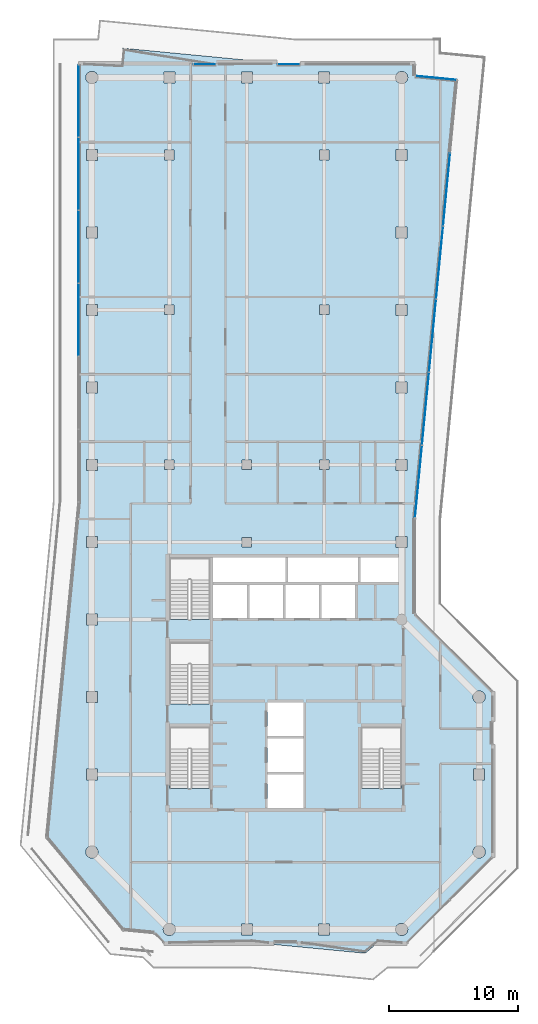
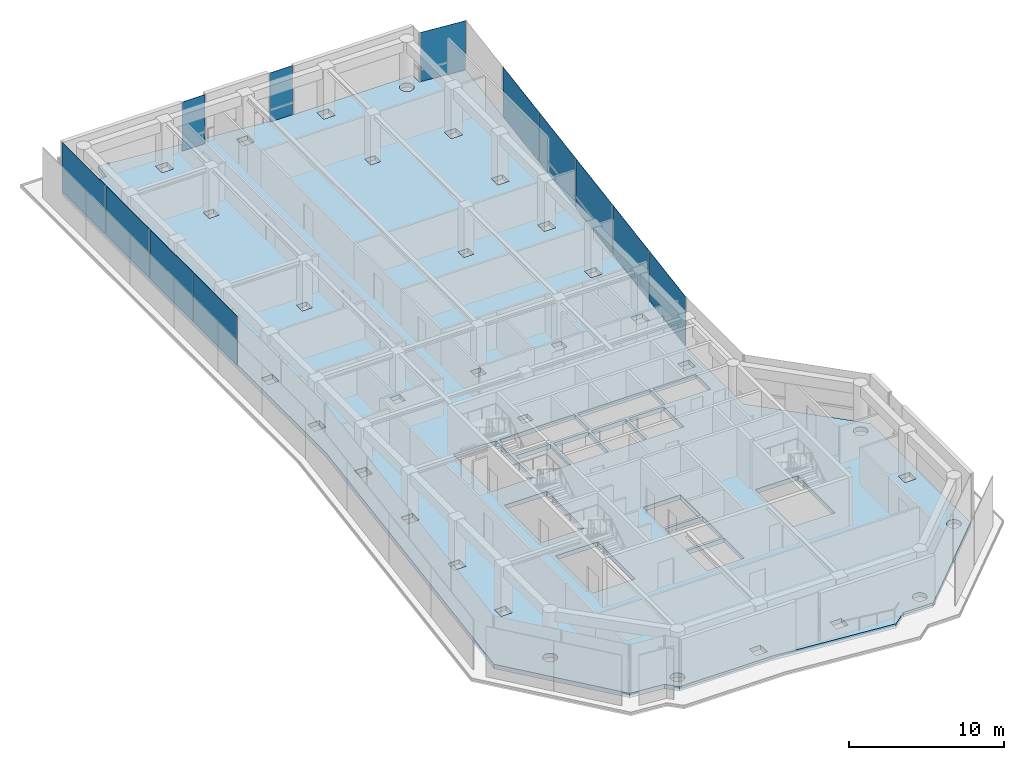
# One storey, part 19 of 25: 12 plates, 1 slab, 5 elements without a shape of their own.
"""IFC4 building model written with IfcOpenShell, lengths in metres."""

from ifc_helpers import new_model, si_unit, direction, frame, origin, origin_2d, place, context, subcontext, project, spatial, polyline, rectangle, outline, extrude, material, layer, layer_set, type_object, element, aggregate, save


model = new_model("IFC4")

# Units and contexts
model_context = context("Model", 3, precision=1e-05, world=origin(), true_north=direction((0.0, 1.0)))
body_context = subcontext(model_context, "Body", "Model", "MODEL_VIEW")
ifc_project = project(units=[si_unit("LENGTHUNIT", "METRE"), si_unit("AREAUNIT", "SQUARE_METRE"), si_unit("VOLUMEUNIT", "CUBIC_METRE"), si_unit("PLANEANGLEUNIT", "RADIAN"), si_unit("MASSUNIT", "GRAM", prefix="KILO")], contexts=[model_context])

# Site, building, storey
site_placement = place(None, origin())
site = spatial("IfcSite", under=ifc_project, at=site_placement, CompositionType="ELEMENT")
building_placement = place(site_placement, origin())
building = spatial("IfcBuilding", under=site, at=building_placement, Name="Welwitschia Terrace Campus", CompositionType="ELEMENT")
storey_placement = place(building_placement, frame((0.0, 0.0, 264.199951171875)))
storey = spatial("IfcBuildingStorey", under=building, at=storey_placement, Name="L58", CompositionType="ELEMENT", Elevation=264.199951171875)

# Curtain wall, plates
ifc_material_1 = material(Name="Bronze anodised aluminium", Category="aluminium")
ifc_layer_1 = layer(ifc_material_1, 0.1201171875)
ifc_layer_set_1 = layer_set([ifc_layer_1], Name="Bronze anodised aluminium")
curtain_wall_type = type_object("IfcCurtainWallType", Name="Curtain wall CW2 tower 6000", PredefinedType="NOTDEFINED", material=ifc_layer_set_1)
curtain_wall_1_placement = place(storey_placement, origin())
curtain_wall_1 = element("IfcCurtainWall", 1, at=curtain_wall_1_placement, inside=storey, type_object=curtain_wall_type, Name="CW L58.0.0", PredefinedType="NOTDEFINED")
ifc_material_2 = material(Name="Tinted bronze-grey glass", Category="glass")
ifc_layer_2 = layer(ifc_material_2, 0.028076171875)
ifc_layer_set_2 = layer_set([ifc_layer_2], Name="Tinted bronze-grey glass")
plate_type = type_object("IfcPlateType", Name="Glass panel 28 tinted", PredefinedType="CURTAIN_PANEL", material=ifc_layer_set_2)
plate_1_placement = place(storey_placement, frame((-1.030029296875, 60.188232421875, 0.0), z_axis=(0.0, 0.0, 1.0), x_axis=(0.0, -1.0, 0.0)))
plate_1 = element("IfcPlate", 2, at=plate_1_placement, type_object=plate_type, Name="Panel L58.0.0.0", PredefinedType="CURTAIN_PANEL", context=body_context, shape_type="SweptSolid", body=[
    extrude(rectangle(XDim=5.5634765625, YDim=0.028076171875, at=origin_2d()), origin(), (0.0, 0.0, 1.0), 3.85009765625),
])
plate_2_placement = place(storey_placement, frame((-1.030029296875, 54.5498046875, 0.0), z_axis=(0.0, 0.0, 1.0), x_axis=(0.0, -1.0, 0.0)))
plate_2 = element("IfcPlate", 3, at=plate_2_placement, type_object=plate_type, Name="Panel L58.0.0.1", PredefinedType="CURTAIN_PANEL", context=body_context, shape_type="SweptSolid", body=[
    extrude(rectangle(XDim=5.593505859375, YDim=0.028076171875, at=origin_2d()), origin(), (0.0, 0.0, 1.0), 3.85009765625),
])
plate_3_placement = place(storey_placement, frame((-1.030029296875, 48.896240234375, 0.0), z_axis=(0.0, 0.0, 1.0), x_axis=(0.0, -1.0, 0.0)))
plate_3 = element("IfcPlate", 4, at=plate_3_placement, type_object=plate_type, Name="Panel L58.0.0.2", PredefinedType="CURTAIN_PANEL", context=body_context, shape_type="SweptSolid", body=[
    extrude(rectangle(XDim=5.593505859375, YDim=0.028076171875, at=origin_2d()), origin(), (0.0, 0.0, 1.0), 3.85009765625),
])
plate_4_placement = place(storey_placement, frame((-1.030029296875, 43.24267578125, 0.0), z_axis=(0.0, 0.0, 1.0), x_axis=(0.0, -1.0, 0.0)))
plate_4 = element("IfcPlate", 5, at=plate_4_placement, type_object=plate_type, Name="Panel L58.0.0.3", PredefinedType="CURTAIN_PANEL", context=body_context, shape_type="SweptSolid", body=[
    extrude(rectangle(XDim=5.593505859375, YDim=0.028076171875, at=origin_2d()), origin(), (0.0, 0.0, 1.0), 3.85009765625),
])
aggregate(curtain_wall_1, [plate_1, plate_2, plate_3, plate_4])

curtain_wall_2_placement = place(storey_placement, origin())
curtain_wall_2 = element("IfcCurtainWall", 6, at=curtain_wall_2_placement, inside=storey, type_object=curtain_wall_type, Name="CW L58.10.0", PredefinedType="NOTDEFINED")
plate_5_placement = place(storey_placement, frame((25.303955078125, 30.701416015625, 0.0), z_axis=(0.0, 0.0, 1.0), x_axis=(0.09584575252, 0.995396198367, 0.0)))
plate_5 = element("IfcPlate", 7, at=plate_5_placement, type_object=plate_type, Name="Panel L58.10.0.0", PredefinedType="CURTAIN_PANEL", context=body_context, shape_type="SweptSolid", body=[
    extrude(rectangle(XDim=5.59521484375, YDim=0.028076171875, at=origin_2d()), origin(), (0.0, 0.0, 1.0), 3.85009765625),
])
plate_6_placement = place(storey_placement, frame((25.847412109375, 36.345458984375, 0.0), z_axis=(0.0, 0.0, 1.0), x_axis=(0.09584575252, 0.995396198367, 0.0)))
plate_6 = element("IfcPlate", 8, at=plate_6_placement, type_object=plate_type, Name="Panel L58.10.0.1", PredefinedType="CURTAIN_PANEL", context=body_context, shape_type="SweptSolid", body=[
    extrude(rectangle(XDim=5.625244140625, YDim=0.028076171875, at=origin_2d()), origin(), (0.0, 0.0, 1.0), 3.85009765625),
])
plate_7_placement = place(storey_placement, frame((26.392333984375, 42.00439453125, 0.0), z_axis=(0.0, 0.0, 1.0), x_axis=(0.09584575252, 0.995396198367, 0.0)))
plate_7 = element("IfcPlate", 9, at=plate_7_placement, type_object=plate_type, Name="Panel L58.10.0.2", PredefinedType="CURTAIN_PANEL", context=body_context, shape_type="SweptSolid", body=[
    extrude(rectangle(XDim=5.625244140625, YDim=0.028076171875, at=origin_2d()), origin(), (0.0, 0.0, 1.0), 3.85009765625),
])
plate_8_placement = place(storey_placement, frame((26.937255859375, 47.663330078125, 0.0), z_axis=(0.0, 0.0, 1.0), x_axis=(0.09584575252, 0.995396198367, 0.0)))
plate_8 = element("IfcPlate", 10, at=plate_8_placement, type_object=plate_type, Name="Panel L58.10.0.3", PredefinedType="CURTAIN_PANEL", context=body_context, shape_type="SweptSolid", body=[
    extrude(rectangle(XDim=5.625244140625, YDim=0.028076171875, at=origin_2d()), origin(), (0.0, 0.0, 1.0), 3.85009765625),
])
plate_9_placement = place(storey_placement, frame((27.48193359375, 53.322265625, 0.0), z_axis=(0.0, 0.0, 1.0), x_axis=(0.09584575252, 0.995396198367, 0.0)))
plate_9 = element("IfcPlate", 11, at=plate_9_placement, type_object=plate_type, Name="Panel L58.10.0.4", PredefinedType="CURTAIN_PANEL", context=body_context, shape_type="SweptSolid", body=[
    extrude(rectangle(XDim=5.625244140625, YDim=0.028076171875, at=origin_2d()), origin(), (0.0, 0.0, 1.0), 3.85009765625),
])
aggregate(curtain_wall_2, [plate_5, plate_6, plate_7, plate_8, plate_9])

# Curtain wall, plate
curtain_wall_3_placement = place(storey_placement, origin())
curtain_wall_3 = element("IfcCurtainWall", 12, at=curtain_wall_3_placement, inside=storey, type_object=curtain_wall_type, Name="CW L58.11.0", PredefinedType="NOTDEFINED")
plate_10_placement = place(storey_placement, frame((26.664794921875, 61.96826171875, 0.0), z_axis=(0.0, 0.0, 1.0), x_axis=(-0.995396198367, 0.09584575252, 0.0)))
plate_10 = element("IfcPlate", 13, at=plate_10_placement, type_object=plate_type, Name="Panel L58.11.0.0", PredefinedType="CURTAIN_PANEL", context=body_context, shape_type="SweptSolid", body=[
    extrude(rectangle(XDim=3.16455078125, YDim=0.028076171875, at=origin_2d()), origin(), (0.0, 0.0, 1.0), 3.85009765625),
])
aggregate(curtain_wall_3, [plate_10])

curtain_wall_4_placement = place(storey_placement, origin())
curtain_wall_4 = element("IfcCurtainWall", 14, at=curtain_wall_4_placement, inside=storey, type_object=curtain_wall_type, Name="CW L58.13.S0", PredefinedType="NOTDEFINED")
plate_11_placement = place(storey_placement, frame((15.257568359375, 63.030029296875, 0.0), z_axis=(0.0, 0.0, 1.0), x_axis=(-1.0, 0.0, 0.0)))
plate_11 = element("IfcPlate", 15, at=plate_11_placement, type_object=plate_type, Name="Panel L58.13.S0.0", PredefinedType="CURTAIN_PANEL", context=body_context, shape_type="SweptSolid", body=[
    extrude(rectangle(XDim=1.679931640625, YDim=0.028076171875, at=origin_2d()), origin(), (0.0, 0.0, 1.0), 3.85009765625),
])
aggregate(curtain_wall_4, [plate_11])

curtain_wall_5_placement = place(storey_placement, origin())
curtain_wall_5 = element("IfcCurtainWall", 16, at=curtain_wall_5_placement, inside=storey, type_object=curtain_wall_type, Name="CW L58.13.S1", PredefinedType="NOTDEFINED")
plate_12_placement = place(storey_placement, frame((8.742431640625, 63.030029296875, 0.0), z_axis=(0.0, 0.0, 1.0), x_axis=(-1.0, 0.0, 0.0)))
plate_12 = element("IfcPlate", 17, at=plate_12_placement, type_object=plate_type, Name="Panel L58.13.S1.0", PredefinedType="CURTAIN_PANEL", context=body_context, shape_type="SweptSolid", body=[
    extrude(rectangle(XDim=1.679931640625, YDim=0.028076171875, at=origin_2d()), origin(), (0.0, 0.0, 1.0), 3.85009765625),
])
aggregate(curtain_wall_5, [plate_12])

# Slab
ifc_material_3 = material(Name="Concrete C40/50", Category="concrete")
ifc_layer_3 = layer(ifc_material_3, 0.35009765625)
ifc_layer_set_3 = layer_set([ifc_layer_3], Name="Concrete C40/50")
slab_type = type_object("IfcSlabType", Name="Suspended floor slab 350", PredefinedType="FLOOR", material=ifc_layer_set_3)
slab_placement = place(storey_placement, frame((0.0, 0.0, -0.349853515625)))
element("IfcSlab", 18, at=slab_placement, inside=storey, type_object=slab_type, Name="Floor slab L58", PredefinedType="FLOOR", context=body_context, shape_type="SweptSolid", body=[
    extrude(outline(polyline([(2.263427734375, 63.0), (2.38623046875, 64.275634765625), (15.635498046875, 63.0), (25.0, 63.0), (25.0, 62.098388671875), (28.2666015625, 61.78369140625), (25.0, 27.8583984375), (25.0, 20.414306640625), (31.0, 14.414306640625), (31.0, 1.585693359375), (24.414306640625, -5.0), (22.193603515625, -5.0), (21.166015625, -5.846923828125), (12.369140625, -5.0), (5.585693359375, -5.0), (4.863037109375, -4.27734375), (2.42431640625, -4.04248046875), (-3.5, 3.144287109375), (-1.0, 29.107421875), (-1.0, 63.0), (2.263427734375, 63.0)]), holes=[polyline([(6.3359375, -4.3359375), (6.39501953125, -4.263916015625), (6.43896484375, -4.181884765625), (6.4658203125, -4.0927734375), (6.47509765625, -4.0), (6.4658203125, -3.9072265625), (6.43896484375, -3.818115234375), (6.39501953125, -3.736083984375), (6.3359375, -3.6640625), (6.263916015625, -3.60498046875), (6.181884765625, -3.56103515625), (6.0927734375, -3.5341796875), (6.0, -3.52490234375), (5.9072265625, -3.5341796875), (5.818115234375, -3.56103515625), (5.736083984375, -3.60498046875), (5.6640625, -3.6640625), (5.60498046875, -3.736083984375), (5.56103515625, -3.818115234375), (5.5341796875, -3.9072265625), (5.52490234375, -4.0), (5.5341796875, -4.0927734375), (5.56103515625, -4.181884765625), (5.60498046875, -4.263916015625), (5.6640625, -4.3359375), (5.736083984375, -4.39501953125), (5.818115234375, -4.43896484375), (5.9072265625, -4.4658203125), (6.0, -4.47509765625), (6.0927734375, -4.4658203125), (6.181884765625, -4.43896484375), (6.263916015625, -4.39501953125), (6.3359375, -4.3359375)]), polyline([(0.263916015625, 1.60498046875), (0.3359375, 1.6640625), (0.39501953125, 1.736083984375), (0.43896484375, 1.818115234375), (0.4658203125, 1.9072265625), (0.47509765625, 2.0), (0.4658203125, 2.0927734375), (0.43896484375, 2.181884765625), (0.39501953125, 2.263916015625), (0.3359375, 2.3359375), (0.263916015625, 2.39501953125), (0.181884765625, 2.43896484375), (0.0927734375, 2.4658203125), (0.0, 2.47509765625), (-0.0927734375, 2.4658203125), (-0.181884765625, 2.43896484375), (-0.263916015625, 2.39501953125), (-0.3359375, 2.3359375), (-0.39501953125, 2.263916015625), (-0.43896484375, 2.181884765625), (-0.4658203125, 2.0927734375), (-0.47509765625, 2.0), (-0.4658203125, 1.9072265625), (-0.43896484375, 1.818115234375), (-0.39501953125, 1.736083984375), (-0.3359375, 1.6640625), (-0.263916015625, 1.60498046875), (-0.181884765625, 1.56103515625), (-0.0927734375, 1.5341796875), (0.0, 1.52490234375), (0.0927734375, 1.5341796875), (0.181884765625, 1.56103515625), (0.263916015625, 1.60498046875)]), polyline([(-0.425048828125, 7.574951171875), (0.425048828125, 7.574951171875), (0.425048828125, 8.425048828125), (-0.425048828125, 8.425048828125), (-0.425048828125, 7.574951171875)]), polyline([(0.425048828125, 13.574951171875), (0.425048828125, 14.425048828125), (-0.425048828125, 14.425048828125), (-0.425048828125, 13.574951171875), (0.425048828125, 13.574951171875)]), polyline([(6.0, 13.451904296875), (9.14990234375, 13.451904296875), (9.14990234375, 18.25), (6.0, 18.25), (6.0, 13.451904296875)]), polyline([(-0.425048828125, 19.574951171875), (0.425048828125, 19.574951171875), (0.425048828125, 20.425048828125), (-0.425048828125, 20.425048828125), (-0.425048828125, 19.574951171875)]), polyline([(0.425048828125, 25.574951171875), (0.425048828125, 26.425048828125), (-0.425048828125, 26.425048828125), (-0.425048828125, 25.574951171875), (0.425048828125, 25.574951171875)]), polyline([(-0.425048828125, 31.574951171875), (0.425048828125, 31.574951171875), (0.425048828125, 32.425048828125), (-0.425048828125, 32.425048828125), (-0.425048828125, 31.574951171875)]), polyline([(5.625, 31.625), (6.375, 31.625), (6.375, 32.375), (5.625, 32.375), (5.625, 31.625)]), polyline([(0.425048828125, 37.574951171875), (0.425048828125, 38.425048828125), (-0.425048828125, 38.425048828125), (-0.425048828125, 37.574951171875), (0.425048828125, 37.574951171875)]), polyline([(-0.425048828125, 43.574951171875), (0.425048828125, 43.574951171875), (0.425048828125, 44.425048828125), (-0.425048828125, 44.425048828125), (-0.425048828125, 43.574951171875)]), polyline([(5.625, 43.625), (6.375, 43.625), (6.375, 44.375), (5.625, 44.375), (5.625, 43.625)]), polyline([(0.425048828125, 49.574951171875), (0.425048828125, 50.425048828125), (-0.425048828125, 50.425048828125), (-0.425048828125, 49.574951171875), (0.425048828125, 49.574951171875)]), polyline([(-0.425048828125, 55.574951171875), (0.425048828125, 55.574951171875), (0.425048828125, 56.425048828125), (-0.425048828125, 56.425048828125), (-0.425048828125, 55.574951171875)]), polyline([(5.625, 55.625), (6.375, 55.625), (6.375, 56.375), (5.625, 56.375), (5.625, 55.625)]), polyline([(0.3359375, 61.6640625), (0.39501953125, 61.736083984375), (0.43896484375, 61.818115234375), (0.4658203125, 61.9072265625), (0.47509765625, 62.0), (0.4658203125, 62.0927734375), (0.43896484375, 62.181884765625), (0.39501953125, 62.263916015625), (0.3359375, 62.3359375), (0.263916015625, 62.39501953125), (0.181884765625, 62.43896484375), (0.0927734375, 62.4658203125), (0.0, 62.47509765625), (-0.0927734375, 62.4658203125), (-0.181884765625, 62.43896484375), (-0.263916015625, 62.39501953125), (-0.3359375, 62.3359375), (-0.39501953125, 62.263916015625), (-0.43896484375, 62.181884765625), (-0.4658203125, 62.0927734375), (-0.47509765625, 62.0), (-0.4658203125, 61.9072265625), (-0.43896484375, 61.818115234375), (-0.39501953125, 61.736083984375), (-0.3359375, 61.6640625), (-0.263916015625, 61.60498046875), (-0.181884765625, 61.56103515625), (-0.0927734375, 61.5341796875), (0.0, 61.52490234375), (0.0927734375, 61.5341796875), (0.181884765625, 61.56103515625), (0.263916015625, 61.60498046875), (0.3359375, 61.6640625)]), polyline([(5.574951171875, 61.574951171875), (6.425048828125, 61.574951171875), (6.425048828125, 62.425048828125), (5.574951171875, 62.425048828125), (5.574951171875, 61.574951171875)]), polyline([(17.574951171875, -4.425048828125), (18.425048828125, -4.425048828125), (18.425048828125, -3.574951171875), (17.574951171875, -3.574951171875), (17.574951171875, -4.425048828125)]), polyline([(12.425048828125, -4.425048828125), (12.425048828125, -3.574951171875), (11.574951171875, -3.574951171875), (11.574951171875, -4.425048828125), (12.425048828125, -4.425048828125)]), polyline([(13.60009765625, 5.39990234375), (16.39990234375, 5.39990234375), (16.39990234375, 8.0), (13.60009765625, 8.0), (13.60009765625, 5.39990234375)]), polyline([(6.0, 6.902099609375), (9.14990234375, 6.902099609375), (9.14990234375, 11.699951171875), (6.0, 11.699951171875), (6.0, 6.902099609375)]), polyline([(13.60009765625, 8.199951171875), (16.39990234375, 8.199951171875), (16.39990234375, 10.800048828125), (13.60009765625, 10.800048828125), (13.60009765625, 8.199951171875)]), polyline([(13.60009765625, 11.0), (16.39990234375, 11.0), (16.39990234375, 13.60009765625), (13.60009765625, 13.60009765625), (13.60009765625, 11.0)]), polyline([(12.199951171875, 20.10009765625), (14.800048828125, 20.10009765625), (14.800048828125, 22.699951171875), (12.199951171875, 22.699951171875), (12.199951171875, 20.10009765625)]), polyline([(15.0, 20.10009765625), (17.60009765625, 20.10009765625), (17.60009765625, 22.699951171875), (15.0, 22.699951171875), (15.0, 20.10009765625)]), polyline([(12.0, 20.10009765625), (12.0, 22.699951171875), (9.39990234375, 22.699951171875), (9.39990234375, 20.10009765625), (12.0, 20.10009765625)]), polyline([(6.0, 20.001953125), (9.14990234375, 20.001953125), (9.14990234375, 24.800048828125), (6.0, 24.800048828125), (6.0, 20.001953125)]), polyline([(9.39990234375, 22.89990234375), (15.0, 22.89990234375), (15.0, 24.800048828125), (9.39990234375, 24.800048828125), (9.39990234375, 22.89990234375)]), polyline([(20.60009765625, 22.89990234375), (20.60009765625, 24.800048828125), (15.199951171875, 24.800048828125), (15.199951171875, 22.89990234375), (20.60009765625, 22.89990234375)]), polyline([(11.625, 25.625), (12.375, 25.625), (12.375, 26.375), (11.625, 26.375), (11.625, 25.625)]), polyline([(11.625, 31.625), (12.375, 31.625), (12.375, 32.375), (11.625, 32.375), (11.625, 31.625)]), polyline([(18.375, 31.625), (18.375, 32.375), (17.625, 32.375), (17.625, 31.625), (18.375, 31.625)]), polyline([(17.625, 43.625), (18.375, 43.625), (18.375, 44.375), (17.625, 44.375), (17.625, 43.625)]), polyline([(11.574951171875, 61.574951171875), (12.425048828125, 61.574951171875), (12.425048828125, 62.425048828125), (11.574951171875, 62.425048828125), (11.574951171875, 61.574951171875)]), polyline([(24.3359375, -4.3359375), (24.39501953125, -4.263916015625), (24.43896484375, -4.181884765625), (24.4658203125, -4.0927734375), (24.47509765625, -4.0), (24.4658203125, -3.9072265625), (24.43896484375, -3.818115234375), (24.39501953125, -3.736083984375), (24.3359375, -3.6640625), (24.263916015625, -3.60498046875), (24.181884765625, -3.56103515625), (24.0927734375, -3.5341796875), (24.0, -3.52490234375), (23.9072265625, -3.5341796875), (23.818115234375, -3.56103515625), (23.736083984375, -3.60498046875), (23.6640625, -3.6640625), (23.60498046875, -3.736083984375), (23.56103515625, -3.818115234375), (23.5341796875, -3.9072265625), (23.52490234375, -4.0), (23.5341796875, -4.0927734375), (23.56103515625, -4.181884765625), (23.60498046875, -4.263916015625), (23.6640625, -4.3359375), (23.736083984375, -4.39501953125), (23.818115234375, -4.43896484375), (23.9072265625, -4.4658203125), (24.0, -4.47509765625), (24.0927734375, -4.4658203125), (24.181884765625, -4.43896484375), (24.263916015625, -4.39501953125), (24.3359375, -4.3359375)]), polyline([(30.263916015625, 1.60498046875), (30.3359375, 1.6640625), (30.39501953125, 1.736083984375), (30.43896484375, 1.818115234375), (30.4658203125, 1.9072265625), (30.47509765625, 2.0), (30.4658203125, 2.0927734375), (30.43896484375, 2.181884765625), (30.39501953125, 2.263916015625), (30.3359375, 2.3359375), (30.263916015625, 2.39501953125), (30.181884765625, 2.43896484375), (30.0927734375, 2.4658203125), (30.0, 2.47509765625), (29.9072265625, 2.4658203125), (29.818115234375, 2.43896484375), (29.736083984375, 2.39501953125), (29.6640625, 2.3359375), (29.60498046875, 2.263916015625), (29.56103515625, 2.181884765625), (29.5341796875, 2.0927734375), (29.52490234375, 2.0), (29.5341796875, 1.9072265625), (29.56103515625, 1.818115234375), (29.60498046875, 1.736083984375), (29.6640625, 1.6640625), (29.736083984375, 1.60498046875), (29.818115234375, 1.56103515625), (29.9072265625, 1.5341796875), (30.0, 1.52490234375), (30.0927734375, 1.5341796875), (30.181884765625, 1.56103515625), (30.263916015625, 1.60498046875)]), polyline([(29.574951171875, 7.574951171875), (30.425048828125, 7.574951171875), (30.425048828125, 8.425048828125), (29.574951171875, 8.425048828125), (29.574951171875, 7.574951171875)]), polyline([(24.0, 6.902099609375), (24.0, 11.699951171875), (20.85009765625, 11.699951171875), (20.85009765625, 6.902099609375), (24.0, 6.902099609375)]), polyline([(30.263916015625, 13.60498046875), (30.3359375, 13.6640625), (30.39501953125, 13.736083984375), (30.43896484375, 13.818115234375), (30.4658203125, 13.9072265625), (30.47509765625, 14.0), (30.4658203125, 14.0927734375), (30.43896484375, 14.181884765625), (30.39501953125, 14.263916015625), (30.3359375, 14.3359375), (30.263916015625, 14.39501953125), (30.181884765625, 14.43896484375), (30.0927734375, 14.4658203125), (30.0, 14.47509765625), (29.9072265625, 14.4658203125), (29.818115234375, 14.43896484375), (29.736083984375, 14.39501953125), (29.6640625, 14.3359375), (29.60498046875, 14.263916015625), (29.56103515625, 14.181884765625), (29.5341796875, 14.0927734375), (29.52490234375, 14.0), (29.5341796875, 13.9072265625), (29.56103515625, 13.818115234375), (29.60498046875, 13.736083984375), (29.6640625, 13.6640625), (29.736083984375, 13.60498046875), (29.818115234375, 13.56103515625), (29.9072265625, 13.5341796875), (30.0, 13.52490234375), (30.0927734375, 13.5341796875), (30.181884765625, 13.56103515625), (30.263916015625, 13.60498046875)]), polyline([(17.800048828125, 20.10009765625), (20.39990234375, 20.10009765625), (20.39990234375, 22.699951171875), (17.800048828125, 22.699951171875), (17.800048828125, 20.10009765625)]), polyline([(24.0, 22.89990234375), (24.0, 24.800048828125), (20.800048828125, 24.800048828125), (20.800048828125, 22.89990234375), (24.0, 22.89990234375)]), polyline([(23.574951171875, 25.574951171875), (24.425048828125, 25.574951171875), (24.425048828125, 26.425048828125), (23.574951171875, 26.425048828125), (23.574951171875, 25.574951171875)]), polyline([(23.574951171875, 31.574951171875), (24.425048828125, 31.574951171875), (24.425048828125, 32.425048828125), (23.574951171875, 32.425048828125), (23.574951171875, 31.574951171875)]), polyline([(24.425048828125, 37.574951171875), (24.425048828125, 38.425048828125), (23.574951171875, 38.425048828125), (23.574951171875, 37.574951171875), (24.425048828125, 37.574951171875)]), polyline([(23.574951171875, 43.574951171875), (24.425048828125, 43.574951171875), (24.425048828125, 44.425048828125), (23.574951171875, 44.425048828125), (23.574951171875, 43.574951171875)]), polyline([(23.574951171875, 49.574951171875), (24.425048828125, 49.574951171875), (24.425048828125, 50.425048828125), (23.574951171875, 50.425048828125), (23.574951171875, 49.574951171875)]), polyline([(17.625, 55.625), (18.375, 55.625), (18.375, 56.375), (17.625, 56.375), (17.625, 55.625)]), polyline([(23.574951171875, 55.574951171875), (24.425048828125, 55.574951171875), (24.425048828125, 56.425048828125), (23.574951171875, 56.425048828125), (23.574951171875, 55.574951171875)]), polyline([(17.574951171875, 61.574951171875), (18.425048828125, 61.574951171875), (18.425048828125, 62.425048828125), (17.574951171875, 62.425048828125), (17.574951171875, 61.574951171875)]), polyline([(24.263916015625, 61.60498046875), (24.3359375, 61.6640625), (24.39501953125, 61.736083984375), (24.43896484375, 61.818115234375), (24.4658203125, 61.9072265625), (24.47509765625, 62.0), (24.4658203125, 62.0927734375), (24.43896484375, 62.181884765625), (24.39501953125, 62.263916015625), (24.3359375, 62.3359375), (24.263916015625, 62.39501953125), (24.181884765625, 62.43896484375), (24.0927734375, 62.4658203125), (24.0, 62.47509765625), (23.9072265625, 62.4658203125), (23.818115234375, 62.43896484375), (23.736083984375, 62.39501953125), (23.6640625, 62.3359375), (23.60498046875, 62.263916015625), (23.56103515625, 62.181884765625), (23.5341796875, 62.0927734375), (23.52490234375, 62.0), (23.5341796875, 61.9072265625), (23.56103515625, 61.818115234375), (23.60498046875, 61.736083984375), (23.6640625, 61.6640625), (23.736083984375, 61.60498046875), (23.818115234375, 61.56103515625), (23.9072265625, 61.5341796875), (24.0, 61.52490234375), (24.0927734375, 61.5341796875), (24.181884765625, 61.56103515625), (24.263916015625, 61.60498046875)])]), origin(), (0.0, 0.0, 1.0), 0.349853515625),
])

save(model, "model.ifc")
